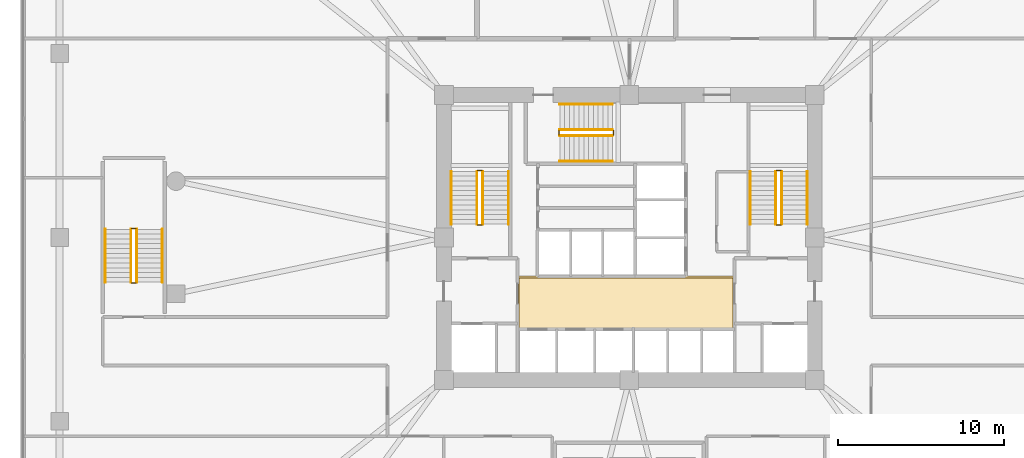
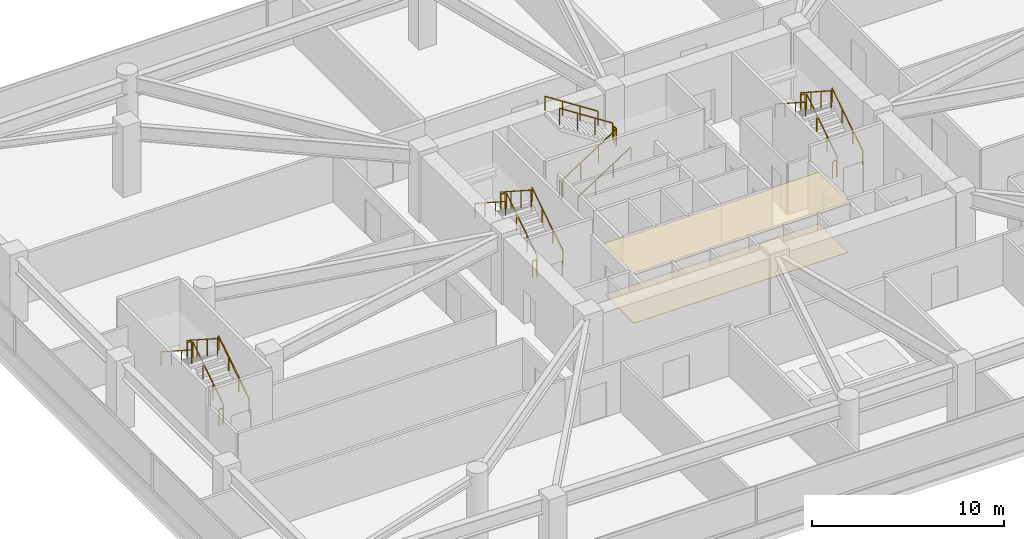
# One storey, part 20 of 21: 24 railings, 2 coverings.
"""IFC4 building model written with IfcOpenShell, lengths in metres."""

from ifc_helpers import new_model, si_unit, derived_unit, direction, frame, origin, origin_2d, place, context, subcontext, project, spatial, polyline, rectangle, outline, extrude, material, layer, layer_set, type_object, element, save


model = new_model("IFC4")

# Units and contexts
model_context = context("Model", 3, precision=1e-05, world=origin(), true_north=direction((0.0, 1.0)))
body_context = subcontext(model_context, "Body", "Model", "MODEL_VIEW")
ifc_project = project(units=[si_unit("LENGTHUNIT", "METRE"), si_unit("AREAUNIT", "SQUARE_METRE"), si_unit("VOLUMEUNIT", "CUBIC_METRE"), si_unit("PLANEANGLEUNIT", "RADIAN"), si_unit("MASSUNIT", "GRAM", prefix="KILO"), derived_unit("THERMALTRANSMITTANCEUNIT", [(si_unit("POWERUNIT", "WATT"), 1), (si_unit("LENGTHUNIT", "METRE"), -2), (si_unit("THERMODYNAMICTEMPERATUREUNIT", "KELVIN"), -1)])], contexts=[model_context])

# Site, building, storey
site_placement = place(None, origin())
site = spatial("IfcSite", under=ifc_project, at=site_placement, CompositionType="ELEMENT")
building_placement = place(site_placement, origin())
building = spatial("IfcBuilding", under=site, at=building_placement, Name="Koralith Skygarden Medical Center", CompositionType="ELEMENT")
storey_placement = place(building_placement, frame((0.0, 0.0, 9.89990234375)))
storey = spatial("IfcBuildingStorey", under=building, at=storey_placement, Name="L02", CompositionType="ELEMENT", Elevation=9.89990234375)

# Coverings
ifc_material_1 = material(Name="Acoustic Mineral Tile")
ifc_layer_1 = layer(ifc_material_1, 0.02001953125)
ifc_layer_set_1 = layer_set([ifc_layer_1], Name="Acoustic Mineral Tile")
covering_type_1 = type_object("IfcCoveringType", Name="Acoustic Hygienic Mineral Ceiling 20", PredefinedType="CEILING", material=ifc_layer_set_1)
covering_1_placement = place(storey_placement, frame((0.0, 0.0, 3.18505859375)))
element("IfcCovering", 1, at=covering_1_placement, inside=storey, type_object=covering_type_1, Name="L02 Core Lobby Acoustic Ceiling", PredefinedType="CEILING", context=body_context, shape_type="SweptSolid", body=[
    extrude(outline(polyline([(30.25, 20.320068359375), (43.35009765625, 20.320068359375), (43.35009765625, 23.56005859375), (30.25, 23.56005859375), (30.25, 20.320068359375)])), origin(), (0.0, 0.0, 1.0), 0.02001953125),
])
ifc_material_2 = material(Name="Medical Terrazzo Flooring")
ifc_layer_2 = layer(ifc_material_2, 0.014892578125)
ifc_layer_set_2 = layer_set([ifc_layer_2], Name="Medical Terrazzo Flooring")
covering_type_2 = type_object("IfcCoveringType", Name="Seamless Antimicrobial Terrazzo Flooring 15", PredefinedType="FLOORING", material=ifc_layer_set_2)
covering_2_placement = place(storey_placement, origin())
element("IfcCovering", 2, at=covering_2_placement, inside=storey, type_object=covering_type_2, Name="L02 Core Lobby Terrazzo Flooring", PredefinedType="FLOORING", context=body_context, shape_type="SweptSolid", body=[
    extrude(outline(polyline([(30.35009765625, 20.419921875), (43.25, 20.419921875), (43.25, 23.4599609375), (30.35009765625, 23.4599609375), (30.35009765625, 20.419921875)])), origin(), (0.0, 0.0, 1.0), 0.01513671875),
])

# Railings
ifc_material_3 = material(Name="Steel ASTM A500 Grade C", Category="steel")
railing_type_1 = type_object("IfcRailingType", Name="Stair Flight Tubular Handrail 920", PredefinedType="HANDRAIL", material=ifc_material_3)
railing_1_placement = place(storey_placement, frame((29.699951171875, 26.699951171875, 0.1875)))
element("IfcRailing", 3, at=railing_1_placement, inside=storey, type_object=railing_type_1, Name="L02 ST1 stair handrail 1", PredefinedType="HANDRAIL", context=body_context, shape_type="SweptSolid", body=[
    extrude(rectangle(XDim=0.050048828125, YDim=0.050048828125, at=origin_2d()), frame((0.0, 0.001708984375, 0.89599609375), z_axis=(0.0, 0.839759782654, 0.542958108362), x_axis=(-1.0, 0.0, 0.0)), (0.0, 0.0, 1.0), 3.794677734375),
    extrude(rectangle(XDim=0.0419921875, YDim=0.0419921875, at=origin_2d()), origin(), (0.0, 0.0, 1.0), 0.867919921875),
    extrude(rectangle(XDim=0.0419921875, YDim=0.0419921875, at=origin_2d()), frame((0.0, 1.063232421875, 0.6875)), (0.0, 0.0, 1.0), 0.867919921875),
    extrude(rectangle(XDim=0.0419921875, YDim=0.0419921875, at=origin_2d()), frame((0.0, 2.126708984375, 1.375)), (0.0, 0.0, 1.0), 0.867919921875),
    extrude(rectangle(XDim=0.0419921875, YDim=0.0419921875, at=origin_2d()), frame((0.0, 3.18994140625, 2.0625)), (0.0, 0.0, 1.0), 0.867919921875),
])
railing_2_placement = place(storey_placement, frame((26.25, 29.889892578125, 2.4375)))
element("IfcRailing", 4, at=railing_2_placement, inside=storey, type_object=railing_type_1, Name="L02 ST1 stair handrail 2", PredefinedType="HANDRAIL", context=body_context, shape_type="SweptSolid", body=[
    extrude(rectangle(XDim=0.050048828125, YDim=0.050048828125, at=origin_2d()), frame((0.0, -0.001708984375, 0.89599609375), z_axis=(0.0, -0.839759782654, 0.542958108362), x_axis=(1.0, 0.0, 0.0)), (0.0, 0.0, 1.0), 3.794677734375),
    extrude(rectangle(XDim=0.0419921875, YDim=0.0419921875, at=origin_2d()), origin(), (0.0, 0.0, 1.0), 0.867919921875),
    extrude(rectangle(XDim=0.0419921875, YDim=0.0419921875, at=origin_2d()), frame((0.0, -1.063232421875, 0.6875)), (0.0, 0.0, 1.0), 0.867919921875),
    extrude(rectangle(XDim=0.0419921875, YDim=0.0419921875, at=origin_2d()), frame((0.0, -2.126708984375, 1.375)), (0.0, 0.0, 1.0), 0.867919921875),
    extrude(rectangle(XDim=0.0419921875, YDim=0.0419921875, at=origin_2d()), frame((0.0, -3.18994140625, 2.0625)), (0.0, 0.0, 1.0), 0.867919921875),
])
railing_3_placement = place(storey_placement, frame((47.75, 26.699951171875, 0.1875)))
element("IfcRailing", 5, at=railing_3_placement, inside=storey, type_object=railing_type_1, Name="L02 ST2 stair handrail 1", PredefinedType="HANDRAIL", context=body_context, shape_type="SweptSolid", body=[
    extrude(rectangle(XDim=0.050048828125, YDim=0.050048828125, at=origin_2d()), frame((0.0, 0.001708984375, 0.89599609375), z_axis=(0.0, 0.839759782654, 0.542958108362), x_axis=(-1.0, 0.0, 0.0)), (0.0, 0.0, 1.0), 3.794677734375),
    extrude(rectangle(XDim=0.0419921875, YDim=0.0419921875, at=origin_2d()), origin(), (0.0, 0.0, 1.0), 0.867919921875),
    extrude(rectangle(XDim=0.0419921875, YDim=0.0419921875, at=origin_2d()), frame((0.0, 1.063232421875, 0.6875)), (0.0, 0.0, 1.0), 0.867919921875),
    extrude(rectangle(XDim=0.0419921875, YDim=0.0419921875, at=origin_2d()), frame((0.0, 2.126708984375, 1.375)), (0.0, 0.0, 1.0), 0.867919921875),
    extrude(rectangle(XDim=0.0419921875, YDim=0.0419921875, at=origin_2d()), frame((0.0, 3.18994140625, 2.0625)), (0.0, 0.0, 1.0), 0.867919921875),
])
railing_4_placement = place(storey_placement, frame((44.300048828125, 29.889892578125, 2.4375)))
element("IfcRailing", 6, at=railing_4_placement, inside=storey, type_object=railing_type_1, Name="L02 ST2 stair handrail 2", PredefinedType="HANDRAIL", context=body_context, shape_type="SweptSolid", body=[
    extrude(rectangle(XDim=0.050048828125, YDim=0.050048828125, at=origin_2d()), frame((0.0, -0.001708984375, 0.89599609375), z_axis=(0.0, -0.839759782654, 0.542958108362), x_axis=(1.0, 0.0, 0.0)), (0.0, 0.0, 1.0), 3.794677734375),
    extrude(rectangle(XDim=0.0419921875, YDim=0.0419921875, at=origin_2d()), origin(), (0.0, 0.0, 1.0), 0.867919921875),
    extrude(rectangle(XDim=0.0419921875, YDim=0.0419921875, at=origin_2d()), frame((0.0, -1.063232421875, 0.6875)), (0.0, 0.0, 1.0), 0.867919921875),
    extrude(rectangle(XDim=0.0419921875, YDim=0.0419921875, at=origin_2d()), frame((0.0, -2.126708984375, 1.375)), (0.0, 0.0, 1.0), 0.867919921875),
    extrude(rectangle(XDim=0.0419921875, YDim=0.0419921875, at=origin_2d()), frame((0.0, -3.18994140625, 2.0625)), (0.0, 0.0, 1.0), 0.867919921875),
])
railing_5_placement = place(storey_placement, frame((32.800048828125, 30.5, 0.1875)))
element("IfcRailing", 7, at=railing_5_placement, inside=storey, type_object=railing_type_1, Name="L02 ST3 stair handrail 1", PredefinedType="HANDRAIL", context=body_context, shape_type="SweptSolid", body=[
    extrude(rectangle(XDim=0.050048828125, YDim=0.050048828125, at=origin_2d()), frame((0.001708984375, 0.0, 0.89599609375), z_axis=(0.839759782654, 0.0, 0.542958108362), x_axis=(0.0, 1.0, 0.0)), (0.0, 0.0, 1.0), 3.794677734375),
    extrude(rectangle(XDim=0.0419921875, YDim=0.0419921875, at=origin_2d()), origin(), (0.0, 0.0, 1.0), 0.867919921875),
    extrude(rectangle(XDim=0.0419921875, YDim=0.0419921875, at=origin_2d()), frame((1.063232421875, 0.0, 0.6875)), (0.0, 0.0, 1.0), 0.867919921875),
    extrude(rectangle(XDim=0.0419921875, YDim=0.0419921875, at=origin_2d()), frame((2.126708984375, 0.0, 1.375)), (0.0, 0.0, 1.0), 0.867919921875),
    extrude(rectangle(XDim=0.0419921875, YDim=0.0419921875, at=origin_2d()), frame((3.18994140625, 0.0, 2.0625)), (0.0, 0.0, 1.0), 0.867919921875),
])
railing_6_placement = place(storey_placement, frame((35.989990234375, 33.949951171875, 2.4375)))
element("IfcRailing", 8, at=railing_6_placement, inside=storey, type_object=railing_type_1, Name="L02 ST3 stair handrail 2", PredefinedType="HANDRAIL", context=body_context, shape_type="SweptSolid", body=[
    extrude(rectangle(XDim=0.050048828125, YDim=0.050048828125, at=origin_2d()), frame((-0.001708984375, 0.0, 0.89599609375), z_axis=(-0.839759782654, 0.0, 0.542958108362), x_axis=(0.0, -1.0, 0.0)), (0.0, 0.0, 1.0), 3.794677734375),
    extrude(rectangle(XDim=0.0419921875, YDim=0.0419921875, at=origin_2d()), origin(), (0.0, 0.0, 1.0), 0.867919921875),
    extrude(rectangle(XDim=0.0419921875, YDim=0.0419921875, at=origin_2d()), frame((-1.063232421875, 0.0, 0.6875)), (0.0, 0.0, 1.0), 0.867919921875),
    extrude(rectangle(XDim=0.0419921875, YDim=0.0419921875, at=origin_2d()), frame((-2.126708984375, 0.0, 1.375)), (0.0, 0.0, 1.0), 0.867919921875),
    extrude(rectangle(XDim=0.0419921875, YDim=0.0419921875, at=origin_2d()), frame((-3.18994140625, 0.0, 2.0625)), (0.0, 0.0, 1.0), 0.867919921875),
])
railing_7_placement = place(storey_placement, frame((8.800048828125, 23.199951171875, 0.1875)))
element("IfcRailing", 9, at=railing_7_placement, inside=storey, type_object=railing_type_1, Name="L02 ST4 stair handrail 1", PredefinedType="HANDRAIL", context=body_context, shape_type="SweptSolid", body=[
    extrude(rectangle(XDim=0.050048828125, YDim=0.050048828125, at=origin_2d()), frame((0.0, 0.001708984375, 0.89599609375), z_axis=(0.0, 0.839759782654, 0.542958108362), x_axis=(-1.0, 0.0, 0.0)), (0.0, 0.0, 1.0), 3.794677734375),
    extrude(rectangle(XDim=0.0419921875, YDim=0.0419921875, at=origin_2d()), origin(), (0.0, 0.0, 1.0), 0.867919921875),
    extrude(rectangle(XDim=0.0419921875, YDim=0.0419921875, at=origin_2d()), frame((0.0, 1.063232421875, 0.6875)), (0.0, 0.0, 1.0), 0.867919921875),
    extrude(rectangle(XDim=0.0419921875, YDim=0.0419921875, at=origin_2d()), frame((0.0, 2.126708984375, 1.375)), (0.0, 0.0, 1.0), 0.867919921875),
    extrude(rectangle(XDim=0.0419921875, YDim=0.0419921875, at=origin_2d()), frame((0.0, 3.18994140625, 2.0625)), (0.0, 0.0, 1.0), 0.867919921875),
])
railing_8_placement = place(storey_placement, frame((5.35009765625, 26.389892578125, 2.4375)))
element("IfcRailing", 10, at=railing_8_placement, inside=storey, type_object=railing_type_1, Name="L02 ST4 stair handrail 2", PredefinedType="HANDRAIL", context=body_context, shape_type="SweptSolid", body=[
    extrude(rectangle(XDim=0.050048828125, YDim=0.050048828125, at=origin_2d()), frame((0.0, -0.001708984375, 0.89599609375), z_axis=(0.0, -0.839759782654, 0.542958108362), x_axis=(1.0, 0.0, 0.0)), (0.0, 0.0, 1.0), 3.794677734375),
    extrude(rectangle(XDim=0.0419921875, YDim=0.0419921875, at=origin_2d()), origin(), (0.0, 0.0, 1.0), 0.867919921875),
    extrude(rectangle(XDim=0.0419921875, YDim=0.0419921875, at=origin_2d()), frame((0.0, -1.063232421875, 0.6875)), (0.0, 0.0, 1.0), 0.867919921875),
    extrude(rectangle(XDim=0.0419921875, YDim=0.0419921875, at=origin_2d()), frame((0.0, -2.126708984375, 1.375)), (0.0, 0.0, 1.0), 0.867919921875),
    extrude(rectangle(XDim=0.0419921875, YDim=0.0419921875, at=origin_2d()), frame((0.0, -3.18994140625, 2.0625)), (0.0, 0.0, 1.0), 0.867919921875),
])
railing_type_2 = type_object("IfcRailingType", Name="Stair Well Safety Guardrail 1100", PredefinedType="GUARDRAIL", material=ifc_material_3)
railing_9_placement = place(storey_placement, frame((28.14990234375, 26.699951171875, 0.1875)))
element("IfcRailing", 11, at=railing_9_placement, inside=storey, type_object=railing_type_2, Name="L02 ST1 stair guard 1", PredefinedType="GUARDRAIL", context=body_context, shape_type="SweptSolid", body=[
    extrude(rectangle(XDim=0.050048828125, YDim=0.050048828125, at=origin_2d()), frame((0.0, 0.001708984375, 1.076171875), z_axis=(0.0, 0.839759782654, 0.542958108362), x_axis=(-1.0, 0.0, 0.0)), (0.0, 0.0, 1.0), 3.794677734375),
    extrude(rectangle(XDim=0.0419921875, YDim=0.0419921875, at=origin_2d()), origin(), (0.0, 0.0, 1.0), 1.048095703125),
    extrude(rectangle(XDim=0.0419921875, YDim=0.0419921875, at=origin_2d()), frame((0.0, 1.063232421875, 0.6875)), (0.0, 0.0, 1.0), 1.048095703125),
    extrude(rectangle(XDim=0.0419921875, YDim=0.0419921875, at=origin_2d()), frame((0.0, 2.126708984375, 1.375)), (0.0, 0.0, 1.0), 1.048095703125),
    extrude(rectangle(XDim=0.0419921875, YDim=0.0419921875, at=origin_2d()), frame((0.0, 3.18994140625, 2.0625)), (0.0, 0.0, 1.0), 1.048095703125),
])
railing_10_placement = place(storey_placement, frame((28.10009765625, 29.93994140625, 2.25)))
element("IfcRailing", 12, at=railing_10_placement, inside=storey, type_object=railing_type_2, Name="L02 ST1 stair guard 2", PredefinedType="GUARDRAIL", context=body_context, shape_type="SweptSolid", body=[
    extrude(rectangle(XDim=0.050048828125, YDim=0.050048828125, at=origin_2d()), frame((-0.001953125, 0.0, 1.0751953125), z_axis=(-1.0, 0.0, 0.0), x_axis=(0.0, -1.0, 0.0)), (0.0, 0.0, 1.0), 0.24609375),
    extrude(rectangle(XDim=0.0419921875, YDim=0.0419921875, at=origin_2d()), origin(), (0.0, 0.0, 1.0), 1.048095703125),
    extrude(rectangle(XDim=0.0419921875, YDim=0.0419921875, at=origin_2d()), frame((-0.25, 0.0, 0.0)), (0.0, 0.0, 1.0), 1.048095703125),
])
railing_11_placement = place(storey_placement, frame((27.800048828125, 29.889892578125, 2.4375)))
element("IfcRailing", 13, at=railing_11_placement, inside=storey, type_object=railing_type_2, Name="L02 ST1 stair guard 3", PredefinedType="GUARDRAIL", context=body_context, shape_type="SweptSolid", body=[
    extrude(rectangle(XDim=0.050048828125, YDim=0.050048828125, at=origin_2d()), frame((0.0, -0.001708984375, 1.076171875), z_axis=(0.0, -0.839759782654, 0.542958108362), x_axis=(1.0, 0.0, 0.0)), (0.0, 0.0, 1.0), 3.794677734375),
    extrude(rectangle(XDim=0.0419921875, YDim=0.0419921875, at=origin_2d()), origin(), (0.0, 0.0, 1.0), 1.048095703125),
    extrude(rectangle(XDim=0.0419921875, YDim=0.0419921875, at=origin_2d()), frame((0.0, -1.063232421875, 0.6875)), (0.0, 0.0, 1.0), 1.048095703125),
    extrude(rectangle(XDim=0.0419921875, YDim=0.0419921875, at=origin_2d()), frame((0.0, -2.126708984375, 1.375)), (0.0, 0.0, 1.0), 1.048095703125),
    extrude(rectangle(XDim=0.0419921875, YDim=0.0419921875, at=origin_2d()), frame((0.0, -3.18994140625, 2.0625)), (0.0, 0.0, 1.0), 1.048095703125),
])
railing_12_placement = place(storey_placement, frame((28.10009765625, 26.64990234375, 0.0)))
element("IfcRailing", 14, at=railing_12_placement, inside=storey, type_object=railing_type_2, Name="L02 ST1 stair guard 4", PredefinedType="GUARDRAIL", context=body_context, shape_type="SweptSolid", body=[
    extrude(rectangle(XDim=0.050048828125, YDim=0.050048828125, at=origin_2d()), frame((-0.001953125, 0.0, 1.0751953125), z_axis=(-1.0, 0.0, 0.0), x_axis=(0.0, -1.0, 0.0)), (0.0, 0.0, 1.0), 0.24609375),
    extrude(rectangle(XDim=0.0419921875, YDim=0.0419921875, at=origin_2d()), origin(), (0.0, 0.0, 1.0), 1.048095703125),
    extrude(rectangle(XDim=0.0419921875, YDim=0.0419921875, at=origin_2d()), frame((-0.25, 0.0, 0.0)), (0.0, 0.0, 1.0), 1.048095703125),
])
railing_13_placement = place(storey_placement, frame((46.199951171875, 26.699951171875, 0.1875)))
element("IfcRailing", 15, at=railing_13_placement, inside=storey, type_object=railing_type_2, Name="L02 ST2 stair guard 1", PredefinedType="GUARDRAIL", context=body_context, shape_type="SweptSolid", body=[
    extrude(rectangle(XDim=0.050048828125, YDim=0.050048828125, at=origin_2d()), frame((0.0, 0.001708984375, 1.076171875), z_axis=(0.0, 0.839759782654, 0.542958108362), x_axis=(-1.0, 0.0, 0.0)), (0.0, 0.0, 1.0), 3.794677734375),
    extrude(rectangle(XDim=0.0419921875, YDim=0.0419921875, at=origin_2d()), origin(), (0.0, 0.0, 1.0), 1.048095703125),
    extrude(rectangle(XDim=0.0419921875, YDim=0.0419921875, at=origin_2d()), frame((0.0, 1.063232421875, 0.6875)), (0.0, 0.0, 1.0), 1.048095703125),
    extrude(rectangle(XDim=0.0419921875, YDim=0.0419921875, at=origin_2d()), frame((0.0, 2.126708984375, 1.375)), (0.0, 0.0, 1.0), 1.048095703125),
    extrude(rectangle(XDim=0.0419921875, YDim=0.0419921875, at=origin_2d()), frame((0.0, 3.18994140625, 2.0625)), (0.0, 0.0, 1.0), 1.048095703125),
])
railing_14_placement = place(storey_placement, frame((46.14990234375, 29.93994140625, 2.25)))
element("IfcRailing", 16, at=railing_14_placement, inside=storey, type_object=railing_type_2, Name="L02 ST2 stair guard 2", PredefinedType="GUARDRAIL", context=body_context, shape_type="SweptSolid", body=[
    extrude(rectangle(XDim=0.050048828125, YDim=0.050048828125, at=origin_2d()), frame((-0.001953125, 0.0, 1.0751953125), z_axis=(-1.0, 0.0, 0.0), x_axis=(0.0, -1.0, 0.0)), (0.0, 0.0, 1.0), 0.24609375),
    extrude(rectangle(XDim=0.0419921875, YDim=0.0419921875, at=origin_2d()), origin(), (0.0, 0.0, 1.0), 1.048095703125),
    extrude(rectangle(XDim=0.0419921875, YDim=0.0419921875, at=origin_2d()), frame((-0.25, 0.0, 0.0)), (0.0, 0.0, 1.0), 1.048095703125),
])
railing_15_placement = place(storey_placement, frame((45.85009765625, 29.889892578125, 2.4375)))
element("IfcRailing", 17, at=railing_15_placement, inside=storey, type_object=railing_type_2, Name="L02 ST2 stair guard 3", PredefinedType="GUARDRAIL", context=body_context, shape_type="SweptSolid", body=[
    extrude(rectangle(XDim=0.050048828125, YDim=0.050048828125, at=origin_2d()), frame((0.0, -0.001708984375, 1.076171875), z_axis=(0.0, -0.839759782654, 0.542958108362), x_axis=(1.0, 0.0, 0.0)), (0.0, 0.0, 1.0), 3.794677734375),
    extrude(rectangle(XDim=0.0419921875, YDim=0.0419921875, at=origin_2d()), origin(), (0.0, 0.0, 1.0), 1.048095703125),
    extrude(rectangle(XDim=0.0419921875, YDim=0.0419921875, at=origin_2d()), frame((0.0, -1.063232421875, 0.6875)), (0.0, 0.0, 1.0), 1.048095703125),
    extrude(rectangle(XDim=0.0419921875, YDim=0.0419921875, at=origin_2d()), frame((0.0, -2.126708984375, 1.375)), (0.0, 0.0, 1.0), 1.048095703125),
    extrude(rectangle(XDim=0.0419921875, YDim=0.0419921875, at=origin_2d()), frame((0.0, -3.18994140625, 2.0625)), (0.0, 0.0, 1.0), 1.048095703125),
])
railing_16_placement = place(storey_placement, frame((46.14990234375, 26.64990234375, 0.0)))
element("IfcRailing", 18, at=railing_16_placement, inside=storey, type_object=railing_type_2, Name="L02 ST2 stair guard 4", PredefinedType="GUARDRAIL", context=body_context, shape_type="SweptSolid", body=[
    extrude(rectangle(XDim=0.050048828125, YDim=0.050048828125, at=origin_2d()), frame((-0.001953125, 0.0, 1.0751953125), z_axis=(-1.0, 0.0, 0.0), x_axis=(0.0, -1.0, 0.0)), (0.0, 0.0, 1.0), 0.24609375),
    extrude(rectangle(XDim=0.0419921875, YDim=0.0419921875, at=origin_2d()), origin(), (0.0, 0.0, 1.0), 1.048095703125),
    extrude(rectangle(XDim=0.0419921875, YDim=0.0419921875, at=origin_2d()), frame((-0.25, 0.0, 0.0)), (0.0, 0.0, 1.0), 1.048095703125),
])
railing_17_placement = place(storey_placement, frame((32.800048828125, 32.050048828125, 0.1875)))
element("IfcRailing", 19, at=railing_17_placement, inside=storey, type_object=railing_type_2, Name="L02 ST3 stair guard 1", PredefinedType="GUARDRAIL", context=body_context, shape_type="SweptSolid", body=[
    extrude(rectangle(XDim=0.050048828125, YDim=0.050048828125, at=origin_2d()), frame((0.001708984375, 0.0, 1.076171875), z_axis=(0.839759782654, 0.0, 0.542958108362), x_axis=(0.0, 1.0, 0.0)), (0.0, 0.0, 1.0), 3.794677734375),
    extrude(rectangle(XDim=0.0419921875, YDim=0.0419921875, at=origin_2d()), origin(), (0.0, 0.0, 1.0), 1.048095703125),
    extrude(rectangle(XDim=0.0419921875, YDim=0.0419921875, at=origin_2d()), frame((1.063232421875, 0.0, 0.6875)), (0.0, 0.0, 1.0), 1.048095703125),
    extrude(rectangle(XDim=0.0419921875, YDim=0.0419921875, at=origin_2d()), frame((2.126708984375, 0.0, 1.375)), (0.0, 0.0, 1.0), 1.048095703125),
    extrude(rectangle(XDim=0.0419921875, YDim=0.0419921875, at=origin_2d()), frame((3.18994140625, 0.0, 2.0625)), (0.0, 0.0, 1.0), 1.048095703125),
])
railing_18_placement = place(storey_placement, frame((36.0400390625, 32.10009765625, 2.25)))
element("IfcRailing", 20, at=railing_18_placement, inside=storey, type_object=railing_type_2, Name="L02 ST3 stair guard 2", PredefinedType="GUARDRAIL", context=body_context, shape_type="SweptSolid", body=[
    extrude(rectangle(XDim=0.050048828125, YDim=0.050048828125, at=origin_2d()), frame((0.0, 0.001953125, 1.0751953125), z_axis=(0.0, 1.0, 0.0), x_axis=(-1.0, 0.0, 0.0)), (0.0, 0.0, 1.0), 0.24609375),
    extrude(rectangle(XDim=0.0419921875, YDim=0.0419921875, at=origin_2d()), origin(), (0.0, 0.0, 1.0), 1.048095703125),
    extrude(rectangle(XDim=0.0419921875, YDim=0.0419921875, at=origin_2d()), frame((0.0, 0.25, 0.0)), (0.0, 0.0, 1.0), 1.048095703125),
])
railing_19_placement = place(storey_placement, frame((35.989990234375, 32.39990234375, 2.4375)))
element("IfcRailing", 21, at=railing_19_placement, inside=storey, type_object=railing_type_2, Name="L02 ST3 stair guard 3", PredefinedType="GUARDRAIL", context=body_context, shape_type="SweptSolid", body=[
    extrude(rectangle(XDim=0.050048828125, YDim=0.050048828125, at=origin_2d()), frame((-0.001708984375, 0.0, 1.076171875), z_axis=(-0.839759782654, 0.0, 0.542958108362), x_axis=(0.0, -1.0, 0.0)), (0.0, 0.0, 1.0), 3.794677734375),
    extrude(rectangle(XDim=0.0419921875, YDim=0.0419921875, at=origin_2d()), origin(), (0.0, 0.0, 1.0), 1.048095703125),
    extrude(rectangle(XDim=0.0419921875, YDim=0.0419921875, at=origin_2d()), frame((-1.063232421875, 0.0, 0.6875)), (0.0, 0.0, 1.0), 1.048095703125),
    extrude(rectangle(XDim=0.0419921875, YDim=0.0419921875, at=origin_2d()), frame((-2.126708984375, 0.0, 1.375)), (0.0, 0.0, 1.0), 1.048095703125),
    extrude(rectangle(XDim=0.0419921875, YDim=0.0419921875, at=origin_2d()), frame((-3.18994140625, 0.0, 2.0625)), (0.0, 0.0, 1.0), 1.048095703125),
])
railing_20_placement = place(storey_placement, frame((32.75, 32.10009765625, 0.0)))
element("IfcRailing", 22, at=railing_20_placement, inside=storey, type_object=railing_type_2, Name="L02 ST3 stair guard 4", PredefinedType="GUARDRAIL", context=body_context, shape_type="SweptSolid", body=[
    extrude(rectangle(XDim=0.050048828125, YDim=0.050048828125, at=origin_2d()), frame((0.0, 0.001953125, 1.0751953125), z_axis=(0.0, 1.0, 0.0), x_axis=(-1.0, 0.0, 0.0)), (0.0, 0.0, 1.0), 0.24609375),
    extrude(rectangle(XDim=0.0419921875, YDim=0.0419921875, at=origin_2d()), origin(), (0.0, 0.0, 1.0), 1.048095703125),
    extrude(rectangle(XDim=0.0419921875, YDim=0.0419921875, at=origin_2d()), frame((0.0, 0.25, 0.0)), (0.0, 0.0, 1.0), 1.048095703125),
])
railing_21_placement = place(storey_placement, frame((7.25, 23.199951171875, 0.1875)))
element("IfcRailing", 23, at=railing_21_placement, inside=storey, type_object=railing_type_2, Name="L02 ST4 stair guard 1", PredefinedType="GUARDRAIL", context=body_context, shape_type="SweptSolid", body=[
    extrude(rectangle(XDim=0.050048828125, YDim=0.050048828125, at=origin_2d()), frame((0.0, 0.001708984375, 1.076171875), z_axis=(0.0, 0.839759782654, 0.542958108362), x_axis=(-1.0, 0.0, 0.0)), (0.0, 0.0, 1.0), 3.794677734375),
    extrude(rectangle(XDim=0.0419921875, YDim=0.0419921875, at=origin_2d()), origin(), (0.0, 0.0, 1.0), 1.048095703125),
    extrude(rectangle(XDim=0.0419921875, YDim=0.0419921875, at=origin_2d()), frame((0.0, 1.063232421875, 0.6875)), (0.0, 0.0, 1.0), 1.048095703125),
    extrude(rectangle(XDim=0.0419921875, YDim=0.0419921875, at=origin_2d()), frame((0.0, 2.126708984375, 1.375)), (0.0, 0.0, 1.0), 1.048095703125),
    extrude(rectangle(XDim=0.0419921875, YDim=0.0419921875, at=origin_2d()), frame((0.0, 3.18994140625, 2.0625)), (0.0, 0.0, 1.0), 1.048095703125),
])
railing_22_placement = place(storey_placement, frame((7.199951171875, 26.43994140625, 2.25)))
element("IfcRailing", 24, at=railing_22_placement, inside=storey, type_object=railing_type_2, Name="L02 ST4 stair guard 2", PredefinedType="GUARDRAIL", context=body_context, shape_type="SweptSolid", body=[
    extrude(rectangle(XDim=0.050048828125, YDim=0.050048828125, at=origin_2d()), frame((-0.001953125, 0.0, 1.0751953125), z_axis=(-1.0, 0.0, 0.0), x_axis=(0.0, -1.0, 0.0)), (0.0, 0.0, 1.0), 0.24609375),
    extrude(rectangle(XDim=0.0419921875, YDim=0.0419921875, at=origin_2d()), origin(), (0.0, 0.0, 1.0), 1.048095703125),
    extrude(rectangle(XDim=0.0419921875, YDim=0.0419921875, at=origin_2d()), frame((-0.25, 0.0, 0.0)), (0.0, 0.0, 1.0), 1.048095703125),
])
railing_23_placement = place(storey_placement, frame((6.89990234375, 26.389892578125, 2.4375)))
element("IfcRailing", 25, at=railing_23_placement, inside=storey, type_object=railing_type_2, Name="L02 ST4 stair guard 3", PredefinedType="GUARDRAIL", context=body_context, shape_type="SweptSolid", body=[
    extrude(rectangle(XDim=0.050048828125, YDim=0.050048828125, at=origin_2d()), frame((0.0, -0.001708984375, 1.076171875), z_axis=(0.0, -0.839759782654, 0.542958108362), x_axis=(1.0, 0.0, 0.0)), (0.0, 0.0, 1.0), 3.794677734375),
    extrude(rectangle(XDim=0.0419921875, YDim=0.0419921875, at=origin_2d()), origin(), (0.0, 0.0, 1.0), 1.048095703125),
    extrude(rectangle(XDim=0.0419921875, YDim=0.0419921875, at=origin_2d()), frame((0.0, -1.063232421875, 0.6875)), (0.0, 0.0, 1.0), 1.048095703125),
    extrude(rectangle(XDim=0.0419921875, YDim=0.0419921875, at=origin_2d()), frame((0.0, -2.126708984375, 1.375)), (0.0, 0.0, 1.0), 1.048095703125),
    extrude(rectangle(XDim=0.0419921875, YDim=0.0419921875, at=origin_2d()), frame((0.0, -3.18994140625, 2.0625)), (0.0, 0.0, 1.0), 1.048095703125),
])
railing_24_placement = place(storey_placement, frame((7.199951171875, 23.14990234375, 0.0)))
element("IfcRailing", 26, at=railing_24_placement, inside=storey, type_object=railing_type_2, Name="L02 ST4 stair guard 4", PredefinedType="GUARDRAIL", context=body_context, shape_type="SweptSolid", body=[
    extrude(rectangle(XDim=0.050048828125, YDim=0.050048828125, at=origin_2d()), frame((-0.001953125, 0.0, 1.0751953125), z_axis=(-1.0, 0.0, 0.0), x_axis=(0.0, -1.0, 0.0)), (0.0, 0.0, 1.0), 0.24609375),
    extrude(rectangle(XDim=0.0419921875, YDim=0.0419921875, at=origin_2d()), origin(), (0.0, 0.0, 1.0), 1.048095703125),
    extrude(rectangle(XDim=0.0419921875, YDim=0.0419921875, at=origin_2d()), frame((-0.25, 0.0, 0.0)), (0.0, 0.0, 1.0), 1.048095703125),
])

save(model, "model.ifc")
